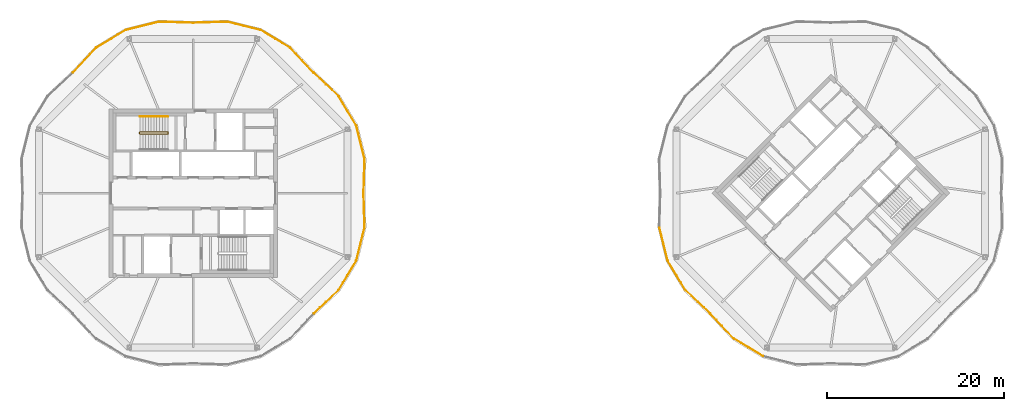
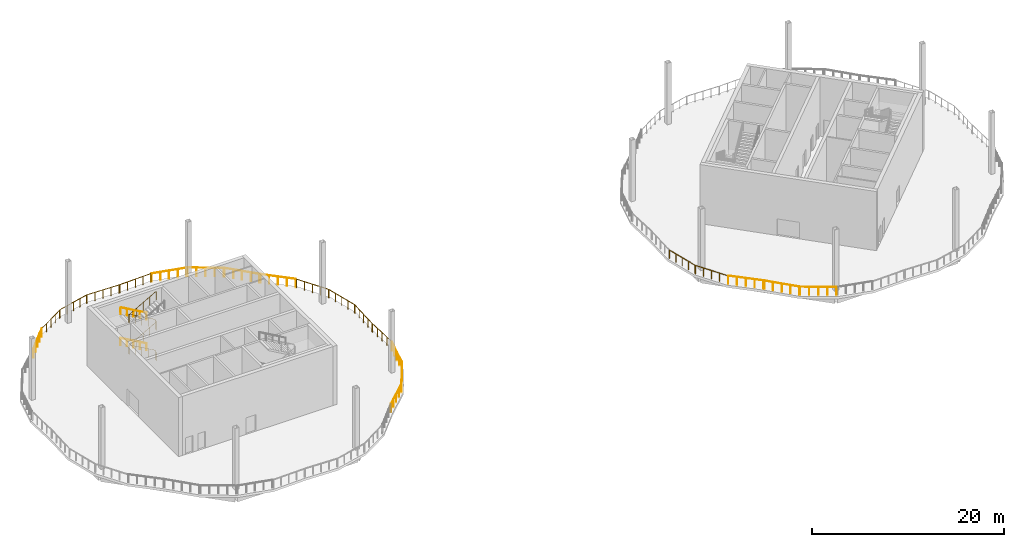
# One storey, part 10 of 12: 24 railings.
"""IFC4 building model written with IfcOpenShell, lengths in metres."""

import ifcopenshell
import ifcopenshell.guid

model = None  # the IFC model being written
_history = None  # IfcOwnerHistory: only IFC2X3 demands one
_inside = {}  # id of a spatial element -> (the spatial element, [elements in it])
_under = {}  # id of a project, library or spatial element -> (it, [spatial elements below it])
_declared = {}  # id of a project -> (the project, [libraries it declares])
_typed = {}  # id of a type object -> (the type object, [elements of that type])
_made_of = {}  # id of a material, layer set ... -> (it, [elements and type objects made of it])


def new_model(schema):
    """Start an empty IFC model of exactly this schema.

    Asked for "IFC4X3", IfcOpenShell would pick the latest addendum, in which some entities
    have other attributes; the version numbers below select the first issue.
    IFC2X3 requires an IfcOwnerHistory on every rooted entity: one is made here for all.
    """
    global model, _history
    if schema == "IFC4X3":
        model = ifcopenshell.file(schema_version=(4, 3, 0, 0))
    else:
        model = ifcopenshell.file(schema=schema)
    _inside.clear()
    _under.clear()
    _declared.clear()
    _typed.clear()
    _made_of.clear()
    _history = None
    if model.schema == "IFC2X3":
        org = make("IfcOrganization", Name="unknown")
        user = make(
            "IfcPersonAndOrganization",
            ThePerson=make("IfcPerson", FamilyName="unknown"),
            TheOrganization=org,
        )
        app = make(
            "IfcApplication",
            ApplicationDeveloper=org,
            Version="unknown",
            ApplicationFullName="unknown",
            ApplicationIdentifier="unknown",
        )
        _history = make(
            "IfcOwnerHistory",
            OwningUser=user,
            OwningApplication=app,
            ChangeAction="ADDED",
            CreationDate=0,
        )
    return model


def make(cls, **values):
    """One entity of the class cls with the attributes given. An attribute that is None is left unset."""
    return model.create_entity(
        cls, **{name: value for name, value in values.items() if value is not None}
    )


def rooted(cls, **values):
    """An entity with a GlobalId (a new one), such as an element, a storey or a relation."""
    return make(cls, GlobalId=ifcopenshell.guid.new(), OwnerHistory=_history, **values)


def si_unit(unit_type, name, prefix=None):
    """IfcSIUnit, for example si_unit("LENGTHUNIT", "METRE", prefix="MILLI")."""
    return make("IfcSIUnit", UnitType=unit_type, Prefix=prefix, Name=name)


def assignment(units):
    """IfcUnitAssignment: the units of a project."""
    return None if units is None else make("IfcUnitAssignment", Units=units)


def point(xyz):
    """IfcCartesianPoint."""
    return None if xyz is None else make("IfcCartesianPoint", Coordinates=xyz)


def direction(xyz):
    """IfcDirection."""
    return None if xyz is None else make("IfcDirection", DirectionRatios=xyz)


def frame(location, z_axis=None, x_axis=None):
    """IfcAxis2Placement3D, a coordinate frame: its origin and axes. An axis left out is left unset."""
    return make(
        "IfcAxis2Placement3D",
        Location=point(location),
        Axis=direction(z_axis),
        RefDirection=direction(x_axis),
    )


def frame_2d(location, x_axis=None):
    """IfcAxis2Placement2D, a coordinate frame in the plane: its origin and x axis."""
    return make(
        "IfcAxis2Placement2D", Location=point(location), RefDirection=direction(x_axis)
    )


def origin():
    """The frame at (0, 0, 0) with its axes left unset."""
    return frame((0.0, 0.0, 0.0))


def origin_2d():
    """The frame at (0, 0) in the plane with its x axis left unset."""
    return frame_2d((0.0, 0.0))


def place(relative_to, where):
    """IfcLocalPlacement: puts the frame where relative to a parent placement (None: the world)."""
    return make(
        "IfcLocalPlacement", PlacementRelTo=relative_to, RelativePlacement=where
    )


def context(
    kind, dimensions, precision=None, world=None, true_north=None, identifier=None
):
    """IfcGeometricRepresentationContext, for example the 3D "Model" context."""
    return make(
        "IfcGeometricRepresentationContext",
        ContextIdentifier=identifier,
        ContextType=kind,
        CoordinateSpaceDimension=dimensions,
        Precision=precision,
        WorldCoordinateSystem=world,
        TrueNorth=true_north,
    )


def subcontext(parent, identifier, kind, view, scale=None):
    """IfcGeometricRepresentationSubContext, for example "Body" below "Model"."""
    return make(
        "IfcGeometricRepresentationSubContext",
        ContextIdentifier=identifier,
        ContextType=kind,
        ParentContext=parent,
        TargetScale=scale,
        TargetView=view,
    )


def project(units=None, contexts=None):
    """IfcProject with its units and contexts."""
    return rooted(
        "IfcProject",
        Name="project",
        RepresentationContexts=contexts,
        UnitsInContext=assignment(units),
    )


def spatial(cls, under=None, at=None, **own):
    """A site, building, storey or space (cls), placed at a placement, below another one or the project."""
    s = rooted(cls, ObjectPlacement=at, **own)
    if under is not None:
        _under.setdefault(under.id(), (under, []))[1].append(s)
    return s


def profile(cls, at=None, kind="AREA", **sizes):
    """A parametric profile (cls). Its sizes go by their IFC names, for example OverallWidth=200.0."""
    return make(cls, ProfileType=kind, Position=at, **sizes)


def circle(**sizes):
    """IfcCircleProfileDef."""
    return profile("IfcCircleProfileDef", **sizes)


def extrude(swept, where, along, depth):
    """IfcExtrudedAreaSolid: the profile swept, set in the frame where, extruded along a direction by depth."""
    return make(
        "IfcExtrudedAreaSolid",
        SweptArea=swept,
        Position=where,
        ExtrudedDirection=direction(along),
        Depth=depth,
    )


def shape(context_of_items, identifier, shape_type, items):
    """IfcShapeRepresentation: the items that make up one representation, for example the "Body"."""
    return make(
        "IfcShapeRepresentation",
        ContextOfItems=context_of_items,
        RepresentationIdentifier=identifier,
        RepresentationType=shape_type,
        Items=items,
    )


def material(Name=None, Category=None):
    """IfcMaterial."""
    return make("IfcMaterial", Name=Name, Category=Category)


def made_of(thing, what):
    """Note that an element or type object is made of a material, layer set ...; save() writes the relation."""
    if what is not None:
        _made_of.setdefault(what.id(), (what, []))[1].append(thing)
    return thing


def type_object(cls, material=None, **own):
    """A type object (cls), such as IfcWallType, which elements share."""
    return made_of(rooted(cls, **own), material)


def element(
    cls,
    number,
    at=None,
    inside=None,
    cuts=None,
    type_object=None,
    material=None,
    context=None,
    identifier="Body",
    shape_type=None,
    held_by="IfcProductDefinitionShape",
    body=None,
    shapes=None,
    **own,
):
    """One element of the class cls, such as IfcWall. Its Tag is "e" and its number.

    at: its placement. inside: the storey or other place that contains it. cuts: it is an
    opening in that element (IfcRelVoidsElement). A single representation is given by context,
    identifier, shape_type and body (its items); several are given by shapes. held_by: the class
    of the entity that holds the representations. save() writes the other relations.
    """
    e = rooted(cls, Tag="e%d" % number, ObjectPlacement=at, **own)
    if body is not None:
        shapes = [shape(context, identifier, shape_type, body)]
    if shapes is not None:
        e.Representation = make(held_by, Representations=shapes)
    if inside is not None:
        _inside.setdefault(inside.id(), (inside, []))[1].append(e)
    if cuts is not None:
        rooted(
            "IfcRelVoidsElement", RelatingBuildingElement=cuts, RelatedOpeningElement=e
        )
    if type_object is not None:
        _typed.setdefault(type_object.id(), (type_object, []))[1].append(e)
    return made_of(e, material)


def aggregate(whole, parts):
    """IfcRelAggregates: a whole, such as a stair, and the parts it consists of."""
    return rooted("IfcRelAggregates", RelatingObject=whole, RelatedObjects=parts)


def save(model, path):
    """Write the relations noted so far, then the file.

    IfcRelAggregates (storeys below a building ...), IfcRelContainedInSpatialStructure (elements
    in a storey), IfcRelDefinesByType, IfcRelAssociatesMaterial and IfcRelDeclares: one each for
    every whole, place, type object, material and project.
    """
    for whole, parts in _under.values():
        aggregate(whole, parts)
    for where, things in _inside.values():
        rooted(
            "IfcRelContainedInSpatialStructure",
            RelatedElements=things,
            RelatingStructure=where,
        )
    for kind, things in _typed.values():
        rooted("IfcRelDefinesByType", RelatedObjects=things, RelatingType=kind)
    for what, things in _made_of.values():
        rooted("IfcRelAssociatesMaterial", RelatedObjects=things, RelatingMaterial=what)
    for by, libraries in _declared.values():
        rooted("IfcRelDeclares", RelatingContext=by, RelatedDefinitions=libraries)
    model.write(path)


model = new_model("IFC4")

# Units and contexts
model_context = context("Model", 3, precision=1e-05, world=origin(), true_north=direction((0.0, 1.0)))
body_context = subcontext(model_context, "Body", "Model", "MODEL_VIEW")
ifc_project = project(units=[si_unit("LENGTHUNIT", "METRE"), si_unit("AREAUNIT", "SQUARE_METRE"), si_unit("VOLUMEUNIT", "CUBIC_METRE"), si_unit("PLANEANGLEUNIT", "RADIAN"), si_unit("MASSUNIT", "GRAM", prefix="KILO")], contexts=[model_context])

# Site, building, storey
site_placement = place(None, origin())
site = spatial("IfcSite", under=ifc_project, at=site_placement, CompositionType="ELEMENT")
building_placement = place(site_placement, origin())
building = spatial("IfcBuilding", under=site, at=building_placement, Name="Ogive Gate Towers", CompositionType="ELEMENT")
storey_placement = place(building_placement, frame((0.0, 0.0, 248.39990234375)))
storey = spatial("IfcBuildingStorey", under=building, at=storey_placement, Name="L59", CompositionType="ELEMENT", Elevation=248.39990234375)

# Railings
ifc_material = material(Name="Stainless steel", Category="steel")
railing_type_1 = type_object("IfcRailingType", Name="Guard 1100", PredefinedType="GUARDRAIL", material=ifc_material)
railing_1_placement = place(storey_placement, frame((-16.758544921875, 0.050048828125, 0.0)))
element("IfcRailing", 1, at=railing_1_placement, inside=storey, type_object=railing_type_1, Name="Wind floor guard", PredefinedType="GUARDRAIL", context=body_context, shape_type="SweptSolid", body=[
    extrude(circle(Radius=0.02392578125, at=origin_2d()), frame((0.0, 0.0, 1.076171875), z_axis=(0.029981333403, 0.99955045878, 0.0), x_axis=(-0.99955045878, 0.029981333403, 0.0)), (0.0, 0.0, 1.0), 3.770263671875),
    extrude(circle(Radius=0.02099609375, at=origin_2d()), origin(), (0.0, 0.0, 1.0), 1.052001953125),
    extrude(circle(Radius=0.02099609375, at=origin_2d()), frame((0.0283203125, 0.942138671875, 0.0)), (0.0, 0.0, 1.0), 1.052001953125),
    extrude(circle(Radius=0.02099609375, at=origin_2d()), frame((0.056640625, 1.88427734375, 0.0)), (0.0, 0.0, 1.0), 1.052001953125),
    extrude(circle(Radius=0.02099609375, at=origin_2d()), frame((0.084716796875, 2.826416015625, 0.0)), (0.0, 0.0, 1.0), 1.052001953125),
    extrude(circle(Radius=0.02099609375, at=origin_2d()), frame((0.113037109375, 3.7685546875, 0.0)), (0.0, 0.0, 1.0), 1.052001953125),
])
railing_2_placement = place(storey_placement, frame((-16.656005859375, 3.9169921875, 0.0)))
element("IfcRailing", 2, at=railing_2_placement, inside=storey, type_object=railing_type_1, Name="Wind floor guard", PredefinedType="GUARDRAIL", context=body_context, shape_type="SweptSolid", body=[
    extrude(circle(Radius=0.02392578125, at=origin_2d()), frame((0.0, 0.0, 1.076171875), z_axis=(-0.241485792873, 0.970404354813, 0.0), x_axis=(-0.970404354813, -0.241485792873, 0.0)), (0.0, 0.0, 1.0), 3.776123046875),
    extrude(circle(Radius=0.02099609375, at=origin_2d()), origin(), (0.0, 0.0, 1.0), 1.052001953125),
    extrude(circle(Radius=0.02099609375, at=origin_2d()), frame((-0.22802734375, 0.916015625, 0.0)), (0.0, 0.0, 1.0), 1.052001953125),
    extrude(circle(Radius=0.02099609375, at=origin_2d()), frame((-0.4560546875, 1.83203125, 0.0)), (0.0, 0.0, 1.0), 1.052001953125),
    extrude(circle(Radius=0.02099609375, at=origin_2d()), frame((-0.683837890625, 2.748291015625, 0.0)), (0.0, 0.0, 1.0), 1.052001953125),
    extrude(circle(Radius=0.02099609375, at=origin_2d()), frame((-0.911865234375, 3.664306640625, 0.0)), (0.0, 0.0, 1.0), 1.052001953125),
])
railing_3_placement = place(storey_placement, frame((-17.605712890625, 7.672607421875, 0.0)))
element("IfcRailing", 3, at=railing_3_placement, inside=storey, type_object=railing_type_1, Name="Wind floor guard", PredefinedType="GUARDRAIL", context=body_context, shape_type="SweptSolid", body=[
    extrude(circle(Radius=0.02392578125, at=origin_2d()), frame((0.0, 0.0, 1.076171875), z_axis=(-0.515427239943, 0.856933346489, 0.0), x_axis=(-0.856933346489, -0.515427239943, 0.0)), (0.0, 0.0, 1.0), 3.776123046875),
    extrude(circle(Radius=0.02099609375, at=origin_2d()), origin(), (0.0, 0.0, 1.0), 1.052001953125),
    extrude(circle(Radius=0.02099609375, at=origin_2d()), frame((-0.486572265625, 0.80908203125, 0.0)), (0.0, 0.0, 1.0), 1.052001953125),
    extrude(circle(Radius=0.02099609375, at=origin_2d()), frame((-0.97314453125, 1.617919921875, 0.0)), (0.0, 0.0, 1.0), 1.052001953125),
    extrude(circle(Radius=0.02099609375, at=origin_2d()), frame((-1.459716796875, 2.4267578125, 0.0)), (0.0, 0.0, 1.0), 1.052001953125),
    extrude(circle(Radius=0.02099609375, at=origin_2d()), frame((-1.9462890625, 3.23583984375, 0.0)), (0.0, 0.0, 1.0), 1.052001953125),
])
railing_4_placement = place(storey_placement, frame((-19.614013671875, 10.985595703125, 0.0)))
element("IfcRailing", 4, at=railing_4_placement, inside=storey, type_object=railing_type_1, Name="Wind floor guard", PredefinedType="GUARDRAIL", context=body_context, shape_type="SweptSolid", body=[
    extrude(circle(Radius=0.02392578125, at=origin_2d()), frame((0.0, 0.0, 1.076171875), z_axis=(-0.728026975857, 0.685548482913, 0.0), x_axis=(-0.685548482913, -0.728026975857, 0.0)), (0.0, 0.0, 1.0), 3.770263671875),
    extrude(circle(Radius=0.02099609375, at=origin_2d()), origin(), (0.0, 0.0, 1.0), 1.052001953125),
    extrude(circle(Radius=0.02099609375, at=origin_2d()), frame((-0.686279296875, 0.646240234375, 0.0)), (0.0, 0.0, 1.0), 1.052001953125),
    extrude(circle(Radius=0.02099609375, at=origin_2d()), frame((-1.37255859375, 1.29248046875, 0.0)), (0.0, 0.0, 1.0), 1.052001953125),
    extrude(circle(Radius=0.02099609375, at=origin_2d()), frame((-2.05859375, 1.9384765625, 0.0)), (0.0, 0.0, 1.0), 1.052001953125),
    extrude(circle(Radius=0.02099609375, at=origin_2d()), frame((-2.744873046875, 2.584716796875, 0.0)), (0.0, 0.0, 1.0), 1.052001953125),
])
railing_5_placement = place(storey_placement, frame((-22.4296875, 13.64111328125, 0.0)))
element("IfcRailing", 5, at=railing_5_placement, inside=storey, type_object=railing_type_1, Name="Wind floor guard", PredefinedType="GUARDRAIL", context=body_context, shape_type="SweptSolid", body=[
    extrude(circle(Radius=0.02392578125, at=origin_2d()), frame((0.0, 0.0, 1.076171875), z_axis=(-0.685548482913, 0.728026975857, 0.0), x_axis=(-0.728026975857, -0.685548482913, 0.0)), (0.0, 0.0, 1.0), 3.770263671875),
    extrude(circle(Radius=0.02099609375, at=origin_2d()), origin(), (0.0, 0.0, 1.0), 1.052001953125),
    extrude(circle(Radius=0.02099609375, at=origin_2d()), frame((-0.646240234375, 0.686279296875, 0.0)), (0.0, 0.0, 1.0), 1.052001953125),
    extrude(circle(Radius=0.02099609375, at=origin_2d()), frame((-1.29248046875, 1.37255859375, 0.0)), (0.0, 0.0, 1.0), 1.052001953125),
    extrude(circle(Radius=0.02099609375, at=origin_2d()), frame((-1.9384765625, 2.05859375, 0.0)), (0.0, 0.0, 1.0), 1.052001953125),
    extrude(circle(Radius=0.02099609375, at=origin_2d()), frame((-2.584716796875, 2.744873046875, 0.0)), (0.0, 0.0, 1.0), 1.052001953125),
])
railing_6_placement = place(storey_placement, frame((-25.091552734375, 16.447998046875, 0.0)))
element("IfcRailing", 6, at=railing_6_placement, inside=storey, type_object=railing_type_1, Name="Wind floor guard", PredefinedType="GUARDRAIL", context=body_context, shape_type="SweptSolid", body=[
    extrude(circle(Radius=0.02392578125, at=origin_2d()), frame((0.0, 0.0, 1.076171875), z_axis=(-0.856933346489, 0.515427239943, 0.0), x_axis=(-0.515427239943, -0.856933346489, 0.0)), (0.0, 0.0, 1.0), 3.776123046875),
    extrude(circle(Radius=0.02099609375, at=origin_2d()), origin(), (0.0, 0.0, 1.0), 1.052001953125),
    extrude(circle(Radius=0.02099609375, at=origin_2d()), frame((-0.80908203125, 0.486572265625, 0.0)), (0.0, 0.0, 1.0), 1.052001953125),
    extrude(circle(Radius=0.02099609375, at=origin_2d()), frame((-1.617919921875, 0.97314453125, 0.0)), (0.0, 0.0, 1.0), 1.052001953125),
    extrude(circle(Radius=0.02099609375, at=origin_2d()), frame((-2.4267578125, 1.459716796875, 0.0)), (0.0, 0.0, 1.0), 1.052001953125),
    extrude(circle(Radius=0.02099609375, at=origin_2d()), frame((-3.23583984375, 1.9462890625, 0.0)), (0.0, 0.0, 1.0), 1.052001953125),
])
railing_7_placement = place(storey_placement, frame((-28.418701171875, 18.43212890625, 0.0)))
element("IfcRailing", 7, at=railing_7_placement, inside=storey, type_object=railing_type_1, Name="Wind floor guard", PredefinedType="GUARDRAIL", context=body_context, shape_type="SweptSolid", body=[
    extrude(circle(Radius=0.02392578125, at=origin_2d()), frame((0.0, 0.0, 1.076171875), z_axis=(-0.970404354813, 0.241485792873, 0.0), x_axis=(-0.241485792873, -0.970404354813, 0.0)), (0.0, 0.0, 1.0), 3.776123046875),
    extrude(circle(Radius=0.02099609375, at=origin_2d()), origin(), (0.0, 0.0, 1.0), 1.052001953125),
    extrude(circle(Radius=0.02099609375, at=origin_2d()), frame((-0.916015625, 0.22802734375, 0.0)), (0.0, 0.0, 1.0), 1.052001953125),
    extrude(circle(Radius=0.02099609375, at=origin_2d()), frame((-1.83203125, 0.4560546875, 0.0)), (0.0, 0.0, 1.0), 1.052001953125),
    extrude(circle(Radius=0.02099609375, at=origin_2d()), frame((-2.748291015625, 0.683837890625, 0.0)), (0.0, 0.0, 1.0), 1.052001953125),
    extrude(circle(Radius=0.02099609375, at=origin_2d()), frame((-3.664306640625, 0.911865234375, 0.0)), (0.0, 0.0, 1.0), 1.052001953125),
])
railing_8_placement = place(storey_placement, frame((-32.181396484375, 19.3544921875, 0.0)))
element("IfcRailing", 8, at=railing_8_placement, inside=storey, type_object=railing_type_1, Name="Wind floor guard", PredefinedType="GUARDRAIL", context=body_context, shape_type="SweptSolid", body=[
    extrude(circle(Radius=0.02392578125, at=origin_2d()), frame((0.0, 0.0, 1.076171875), z_axis=(-0.99955045878, -0.029981333403, 0.0), x_axis=(0.029981333403, -0.99955045878, 0.0)), (0.0, 0.0, 1.0), 3.770263671875),
    extrude(circle(Radius=0.02099609375, at=origin_2d()), origin(), (0.0, 0.0, 1.0), 1.052001953125),
    extrude(circle(Radius=0.02099609375, at=origin_2d()), frame((-0.942138671875, -0.0283203125, 0.0)), (0.0, 0.0, 1.0), 1.052001953125),
    extrude(circle(Radius=0.02099609375, at=origin_2d()), frame((-1.88427734375, -0.056640625, 0.0)), (0.0, 0.0, 1.0), 1.052001953125),
    extrude(circle(Radius=0.02099609375, at=origin_2d()), frame((-2.826416015625, -0.084716796875, 0.0)), (0.0, 0.0, 1.0), 1.052001953125),
    extrude(circle(Radius=0.02099609375, at=origin_2d()), frame((-3.7685546875, -0.113037109375, 0.0)), (0.0, 0.0, 1.0), 1.052001953125),
])
railing_9_placement = place(storey_placement, frame((-36.050048828125, 19.241455078125, 0.0)))
element("IfcRailing", 9, at=railing_9_placement, inside=storey, type_object=railing_type_1, Name="Wind floor guard", PredefinedType="GUARDRAIL", context=body_context, shape_type="SweptSolid", body=[
    extrude(circle(Radius=0.02392578125, at=origin_2d()), frame((0.0, 0.0, 1.076171875), z_axis=(-0.99955045878, 0.029981333403, 0.0), x_axis=(-0.029981333403, -0.99955045878, 0.0)), (0.0, 0.0, 1.0), 3.770263671875),
    extrude(circle(Radius=0.02099609375, at=origin_2d()), origin(), (0.0, 0.0, 1.0), 1.052001953125),
    extrude(circle(Radius=0.02099609375, at=origin_2d()), frame((-0.942138671875, 0.0283203125, 0.0)), (0.0, 0.0, 1.0), 1.052001953125),
    extrude(circle(Radius=0.02099609375, at=origin_2d()), frame((-1.88427734375, 0.056640625, 0.0)), (0.0, 0.0, 1.0), 1.052001953125),
    extrude(circle(Radius=0.02099609375, at=origin_2d()), frame((-2.826416015625, 0.084716796875, 0.0)), (0.0, 0.0, 1.0), 1.052001953125),
    extrude(circle(Radius=0.02099609375, at=origin_2d()), frame((-3.7685546875, 0.113037109375, 0.0)), (0.0, 0.0, 1.0), 1.052001953125),
])
railing_10_placement = place(storey_placement, frame((-39.9169921875, 19.343994140625, 0.0)))
element("IfcRailing", 10, at=railing_10_placement, inside=storey, type_object=railing_type_1, Name="Wind floor guard", PredefinedType="GUARDRAIL", context=body_context, shape_type="SweptSolid", body=[
    extrude(circle(Radius=0.02392578125, at=origin_2d()), frame((0.0, 0.0, 1.076171875), z_axis=(-0.970404354813, -0.241485792873, 0.0), x_axis=(0.241485792873, -0.970404354813, 0.0)), (0.0, 0.0, 1.0), 3.776123046875),
    extrude(circle(Radius=0.02099609375, at=origin_2d()), origin(), (0.0, 0.0, 1.0), 1.052001953125),
    extrude(circle(Radius=0.02099609375, at=origin_2d()), frame((-0.916015625, -0.22802734375, 0.0)), (0.0, 0.0, 1.0), 1.052001953125),
    extrude(circle(Radius=0.02099609375, at=origin_2d()), frame((-1.83203125, -0.4560546875, 0.0)), (0.0, 0.0, 1.0), 1.052001953125),
    extrude(circle(Radius=0.02099609375, at=origin_2d()), frame((-2.748291015625, -0.683837890625, 0.0)), (0.0, 0.0, 1.0), 1.052001953125),
    extrude(circle(Radius=0.02099609375, at=origin_2d()), frame((-3.664306640625, -0.911865234375, 0.0)), (0.0, 0.0, 1.0), 1.052001953125),
])
railing_11_placement = place(storey_placement, frame((-43.672607421875, 18.394287109375, 0.0)))
element("IfcRailing", 11, at=railing_11_placement, inside=storey, type_object=railing_type_1, Name="Wind floor guard", PredefinedType="GUARDRAIL", context=body_context, shape_type="SweptSolid", body=[
    extrude(circle(Radius=0.02392578125, at=origin_2d()), frame((0.0, 0.0, 1.076171875), z_axis=(-0.856933346489, -0.515427239943, 0.0), x_axis=(0.515427239943, -0.856933346489, 0.0)), (0.0, 0.0, 1.0), 3.776123046875),
    extrude(circle(Radius=0.02099609375, at=origin_2d()), origin(), (0.0, 0.0, 1.0), 1.052001953125),
    extrude(circle(Radius=0.02099609375, at=origin_2d()), frame((-0.80908203125, -0.486572265625, 0.0)), (0.0, 0.0, 1.0), 1.052001953125),
    extrude(circle(Radius=0.02099609375, at=origin_2d()), frame((-1.617919921875, -0.97314453125, 0.0)), (0.0, 0.0, 1.0), 1.052001953125),
    extrude(circle(Radius=0.02099609375, at=origin_2d()), frame((-2.4267578125, -1.459716796875, 0.0)), (0.0, 0.0, 1.0), 1.052001953125),
    extrude(circle(Radius=0.02099609375, at=origin_2d()), frame((-3.23583984375, -1.9462890625, 0.0)), (0.0, 0.0, 1.0), 1.052001953125),
])
railing_12_placement = place(storey_placement, frame((-46.985595703125, 16.385986328125, 0.0)))
element("IfcRailing", 12, at=railing_12_placement, inside=storey, type_object=railing_type_1, Name="Wind floor guard", PredefinedType="GUARDRAIL", context=body_context, shape_type="SweptSolid", body=[
    extrude(circle(Radius=0.02392578125, at=origin_2d()), frame((0.0, 0.0, 1.076171875), z_axis=(-0.685548482913, -0.728026975857, 0.0), x_axis=(0.728026975857, -0.685548482913, 0.0)), (0.0, 0.0, 1.0), 3.770263671875),
    extrude(circle(Radius=0.02099609375, at=origin_2d()), origin(), (0.0, 0.0, 1.0), 1.052001953125),
    extrude(circle(Radius=0.02099609375, at=origin_2d()), frame((-0.646240234375, -0.686279296875, 0.0)), (0.0, 0.0, 1.0), 1.052001953125),
    extrude(circle(Radius=0.02099609375, at=origin_2d()), frame((-1.29248046875, -1.37255859375, 0.0)), (0.0, 0.0, 1.0), 1.052001953125),
    extrude(circle(Radius=0.02099609375, at=origin_2d()), frame((-1.9384765625, -2.05859375, 0.0)), (0.0, 0.0, 1.0), 1.052001953125),
    extrude(circle(Radius=0.02099609375, at=origin_2d()), frame((-2.584716796875, -2.744873046875, 0.0)), (0.0, 0.0, 1.0), 1.052001953125),
])
railing_13_placement = place(storey_placement, frame((-22.35888671875, -13.5703125, 0.0)))
element("IfcRailing", 13, at=railing_13_placement, inside=storey, type_object=railing_type_1, Name="Wind floor guard", PredefinedType="GUARDRAIL", context=body_context, shape_type="SweptSolid", body=[
    extrude(circle(Radius=0.02392578125, at=origin_2d()), frame((0.0, 0.0, 1.076171875), z_axis=(0.728026975857, 0.685548482913, 0.0), x_axis=(-0.685548482913, 0.728026975857, 0.0)), (0.0, 0.0, 1.0), 3.770263671875),
    extrude(circle(Radius=0.02099609375, at=origin_2d()), origin(), (0.0, 0.0, 1.0), 1.052001953125),
    extrude(circle(Radius=0.02099609375, at=origin_2d()), frame((0.686279296875, 0.646240234375, 0.0)), (0.0, 0.0, 1.0), 1.052001953125),
    extrude(circle(Radius=0.02099609375, at=origin_2d()), frame((1.37255859375, 1.29248046875, 0.0)), (0.0, 0.0, 1.0), 1.052001953125),
    extrude(circle(Radius=0.02099609375, at=origin_2d()), frame((2.05859375, 1.9384765625, 0.0)), (0.0, 0.0, 1.0), 1.052001953125),
    extrude(circle(Radius=0.02099609375, at=origin_2d()), frame((2.744873046875, 2.584716796875, 0.0)), (0.0, 0.0, 1.0), 1.052001953125),
])
railing_14_placement = place(storey_placement, frame((-19.552001953125, -10.908447265625, 0.0)))
element("IfcRailing", 14, at=railing_14_placement, inside=storey, type_object=railing_type_1, Name="Wind floor guard", PredefinedType="GUARDRAIL", context=body_context, shape_type="SweptSolid", body=[
    extrude(circle(Radius=0.02392578125, at=origin_2d()), frame((0.0, 0.0, 1.076171875), z_axis=(0.515427239943, 0.856933346489, 0.0), x_axis=(-0.856933346489, 0.515427239943, 0.0)), (0.0, 0.0, 1.0), 3.776123046875),
    extrude(circle(Radius=0.02099609375, at=origin_2d()), origin(), (0.0, 0.0, 1.0), 1.052001953125),
    extrude(circle(Radius=0.02099609375, at=origin_2d()), frame((0.486572265625, 0.80908203125, 0.0)), (0.0, 0.0, 1.0), 1.052001953125),
    extrude(circle(Radius=0.02099609375, at=origin_2d()), frame((0.97314453125, 1.617919921875, 0.0)), (0.0, 0.0, 1.0), 1.052001953125),
    extrude(circle(Radius=0.02099609375, at=origin_2d()), frame((1.459716796875, 2.4267578125, 0.0)), (0.0, 0.0, 1.0), 1.052001953125),
    extrude(circle(Radius=0.02099609375, at=origin_2d()), frame((1.9462890625, 3.23583984375, 0.0)), (0.0, 0.0, 1.0), 1.052001953125),
])
railing_15_placement = place(storey_placement, frame((-17.56787109375, -7.581298828125, 0.0)))
element("IfcRailing", 15, at=railing_15_placement, inside=storey, type_object=railing_type_1, Name="Wind floor guard", PredefinedType="GUARDRAIL", context=body_context, shape_type="SweptSolid", body=[
    extrude(circle(Radius=0.02392578125, at=origin_2d()), frame((0.0, 0.0, 1.076171875), z_axis=(0.241485792873, 0.970404354813, 0.0), x_axis=(-0.970404354813, 0.241485792873, 0.0)), (0.0, 0.0, 1.0), 3.776123046875),
    extrude(circle(Radius=0.02099609375, at=origin_2d()), origin(), (0.0, 0.0, 1.0), 1.052001953125),
    extrude(circle(Radius=0.02099609375, at=origin_2d()), frame((0.22802734375, 0.916015625, 0.0)), (0.0, 0.0, 1.0), 1.052001953125),
    extrude(circle(Radius=0.02099609375, at=origin_2d()), frame((0.4560546875, 1.83203125, 0.0)), (0.0, 0.0, 1.0), 1.052001953125),
    extrude(circle(Radius=0.02099609375, at=origin_2d()), frame((0.683837890625, 2.748291015625, 0.0)), (0.0, 0.0, 1.0), 1.052001953125),
    extrude(circle(Radius=0.02099609375, at=origin_2d()), frame((0.911865234375, 3.664306640625, 0.0)), (0.0, 0.0, 1.0), 1.052001953125),
])
railing_16_placement = place(storey_placement, frame((-16.6455078125, -3.818603515625, 0.0)))
element("IfcRailing", 16, at=railing_16_placement, inside=storey, type_object=railing_type_1, Name="Wind floor guard", PredefinedType="GUARDRAIL", context=body_context, shape_type="SweptSolid", body=[
    extrude(circle(Radius=0.02392578125, at=origin_2d()), frame((0.0, 0.0, 1.076171875), z_axis=(-0.029981333403, 0.99955045878, 0.0), x_axis=(-0.99955045878, -0.029981333403, 0.0)), (0.0, 0.0, 1.0), 3.770263671875),
    extrude(circle(Radius=0.02099609375, at=origin_2d()), origin(), (0.0, 0.0, 1.0), 1.052001953125),
    extrude(circle(Radius=0.02099609375, at=origin_2d()), frame((-0.0283203125, 0.942138671875, 0.0)), (0.0, 0.0, 1.0), 1.052001953125),
    extrude(circle(Radius=0.02099609375, at=origin_2d()), frame((-0.056640625, 1.88427734375, 0.0)), (0.0, 0.0, 1.0), 1.052001953125),
    extrude(circle(Radius=0.02099609375, at=origin_2d()), frame((-0.084716796875, 2.826416015625, 0.0)), (0.0, 0.0, 1.0), 1.052001953125),
    extrude(circle(Radius=0.02099609375, at=origin_2d()), frame((-0.113037109375, 3.7685546875, 0.0)), (0.0, 0.0, 1.0), 1.052001953125),
])
railing_17_placement = place(storey_placement, frame((16.656005859375, -3.9169921875, 0.0)))
element("IfcRailing", 17, at=railing_17_placement, inside=storey, type_object=railing_type_1, Name="Wind floor guard", PredefinedType="GUARDRAIL", context=body_context, shape_type="SweptSolid", body=[
    extrude(circle(Radius=0.02392578125, at=origin_2d()), frame((0.0, 0.0, 1.076171875), z_axis=(0.241485792873, -0.970404354813, 0.0), x_axis=(0.970404354813, 0.241485792873, 0.0)), (0.0, 0.0, 1.0), 3.776123046875),
    extrude(circle(Radius=0.02099609375, at=origin_2d()), origin(), (0.0, 0.0, 1.0), 1.052001953125),
    extrude(circle(Radius=0.02099609375, at=origin_2d()), frame((0.22802734375, -0.916015625, 0.0)), (0.0, 0.0, 1.0), 1.052001953125),
    extrude(circle(Radius=0.02099609375, at=origin_2d()), frame((0.4560546875, -1.83203125, 0.0)), (0.0, 0.0, 1.0), 1.052001953125),
    extrude(circle(Radius=0.02099609375, at=origin_2d()), frame((0.683837890625, -2.748291015625, 0.0)), (0.0, 0.0, 1.0), 1.052001953125),
    extrude(circle(Radius=0.02099609375, at=origin_2d()), frame((0.911865234375, -3.664306640625, 0.0)), (0.0, 0.0, 1.0), 1.052001953125),
])
railing_18_placement = place(storey_placement, frame((17.605712890625, -7.672607421875, 0.0)))
element("IfcRailing", 18, at=railing_18_placement, inside=storey, type_object=railing_type_1, Name="Wind floor guard", PredefinedType="GUARDRAIL", context=body_context, shape_type="SweptSolid", body=[
    extrude(circle(Radius=0.02392578125, at=origin_2d()), frame((0.0, 0.0, 1.076171875), z_axis=(0.515427239943, -0.856933346489, 0.0), x_axis=(0.856933346489, 0.515427239943, 0.0)), (0.0, 0.0, 1.0), 3.776123046875),
    extrude(circle(Radius=0.02099609375, at=origin_2d()), origin(), (0.0, 0.0, 1.0), 1.052001953125),
    extrude(circle(Radius=0.02099609375, at=origin_2d()), frame((0.486572265625, -0.80908203125, 0.0)), (0.0, 0.0, 1.0), 1.052001953125),
    extrude(circle(Radius=0.02099609375, at=origin_2d()), frame((0.97314453125, -1.617919921875, 0.0)), (0.0, 0.0, 1.0), 1.052001953125),
    extrude(circle(Radius=0.02099609375, at=origin_2d()), frame((1.459716796875, -2.4267578125, 0.0)), (0.0, 0.0, 1.0), 1.052001953125),
    extrude(circle(Radius=0.02099609375, at=origin_2d()), frame((1.9462890625, -3.23583984375, 0.0)), (0.0, 0.0, 1.0), 1.052001953125),
])
railing_19_placement = place(storey_placement, frame((19.614013671875, -10.985595703125, 0.0)))
element("IfcRailing", 19, at=railing_19_placement, inside=storey, type_object=railing_type_1, Name="Wind floor guard", PredefinedType="GUARDRAIL", context=body_context, shape_type="SweptSolid", body=[
    extrude(circle(Radius=0.02392578125, at=origin_2d()), frame((0.0, 0.0, 1.076171875), z_axis=(0.728026975857, -0.685548482913, 0.0), x_axis=(0.685548482913, 0.728026975857, 0.0)), (0.0, 0.0, 1.0), 3.770263671875),
    extrude(circle(Radius=0.02099609375, at=origin_2d()), origin(), (0.0, 0.0, 1.0), 1.052001953125),
    extrude(circle(Radius=0.02099609375, at=origin_2d()), frame((0.686279296875, -0.646240234375, 0.0)), (0.0, 0.0, 1.0), 1.052001953125),
    extrude(circle(Radius=0.02099609375, at=origin_2d()), frame((1.37255859375, -1.29248046875, 0.0)), (0.0, 0.0, 1.0), 1.052001953125),
    extrude(circle(Radius=0.02099609375, at=origin_2d()), frame((2.05859375, -1.9384765625, 0.0)), (0.0, 0.0, 1.0), 1.052001953125),
    extrude(circle(Radius=0.02099609375, at=origin_2d()), frame((2.744873046875, -2.584716796875, 0.0)), (0.0, 0.0, 1.0), 1.052001953125),
])
railing_20_placement = place(storey_placement, frame((22.4296875, -13.64111328125, 0.0)))
element("IfcRailing", 20, at=railing_20_placement, inside=storey, type_object=railing_type_1, Name="Wind floor guard", PredefinedType="GUARDRAIL", context=body_context, shape_type="SweptSolid", body=[
    extrude(circle(Radius=0.02392578125, at=origin_2d()), frame((0.0, 0.0, 1.076171875), z_axis=(0.685548482913, -0.728026975857, 0.0), x_axis=(0.728026975857, 0.685548482913, 0.0)), (0.0, 0.0, 1.0), 3.770263671875),
    extrude(circle(Radius=0.02099609375, at=origin_2d()), origin(), (0.0, 0.0, 1.0), 1.052001953125),
    extrude(circle(Radius=0.02099609375, at=origin_2d()), frame((0.646240234375, -0.686279296875, 0.0)), (0.0, 0.0, 1.0), 1.052001953125),
    extrude(circle(Radius=0.02099609375, at=origin_2d()), frame((1.29248046875, -1.37255859375, 0.0)), (0.0, 0.0, 1.0), 1.052001953125),
    extrude(circle(Radius=0.02099609375, at=origin_2d()), frame((1.9384765625, -2.05859375, 0.0)), (0.0, 0.0, 1.0), 1.052001953125),
    extrude(circle(Radius=0.02099609375, at=origin_2d()), frame((2.584716796875, -2.744873046875, 0.0)), (0.0, 0.0, 1.0), 1.052001953125),
])
railing_21_placement = place(storey_placement, frame((25.091552734375, -16.447998046875, 0.0)))
element("IfcRailing", 21, at=railing_21_placement, inside=storey, type_object=railing_type_1, Name="Wind floor guard", PredefinedType="GUARDRAIL", context=body_context, shape_type="SweptSolid", body=[
    extrude(circle(Radius=0.02392578125, at=origin_2d()), frame((0.0, 0.0, 1.076171875), z_axis=(0.856933346489, -0.515427239943, 0.0), x_axis=(0.515427239943, 0.856933346489, 0.0)), (0.0, 0.0, 1.0), 3.776123046875),
    extrude(circle(Radius=0.02099609375, at=origin_2d()), origin(), (0.0, 0.0, 1.0), 1.052001953125),
    extrude(circle(Radius=0.02099609375, at=origin_2d()), frame((0.80908203125, -0.486572265625, 0.0)), (0.0, 0.0, 1.0), 1.052001953125),
    extrude(circle(Radius=0.02099609375, at=origin_2d()), frame((1.617919921875, -0.97314453125, 0.0)), (0.0, 0.0, 1.0), 1.052001953125),
    extrude(circle(Radius=0.02099609375, at=origin_2d()), frame((2.4267578125, -1.459716796875, 0.0)), (0.0, 0.0, 1.0), 1.052001953125),
    extrude(circle(Radius=0.02099609375, at=origin_2d()), frame((3.23583984375, -1.9462890625, 0.0)), (0.0, 0.0, 1.0), 1.052001953125),
])
railing_type_2 = type_object("IfcRailingType", Name="Stair guard 1100", PredefinedType="GUARDRAIL", material=ifc_material)
railing_22_placement = place(storey_placement, frame((-38.81494140625, 6.860107421875, 0.0)))
element("IfcRailing", 22, at=railing_22_placement, inside=storey, type_object=railing_type_2, Name="L59 ST1 stair guard 1", PredefinedType="GUARDRAIL", context=body_context, shape_type="SweptSolid", body=[
    extrude(circle(Radius=0.02392578125, at=origin_2d()), frame((0.0, 0.0, 1.076171875), z_axis=(0.0, -1.0, 0.0), x_axis=(1.0, 0.0, 0.0)), (0.0, 0.0, 1.0), 0.14501953125),
    extrude(circle(Radius=0.02392578125, at=origin_2d()), frame((0.0, -0.14501953125, 1.076171875), z_axis=(-0.186567429962, 0.726247849316, 0.661631812598), x_axis=(-0.968551454522, -0.24881334358, 0.0)), (0.0, 0.0, 1.0), 0.268310546875),
    extrude(circle(Radius=0.02392578125, at=origin_2d()), frame((-0.050048828125, 0.0498046875, 1.25341796875), z_axis=(-0.870572935281, 0.0, 0.492039393094), x_axis=(0.0, -1.0, 0.0)), (0.0, 0.0, 1.0), 3.602783203125),
    extrude(circle(Radius=0.02392578125, at=origin_2d()), frame((-3.1865234375, 0.0498046875, 3.0263671875), z_axis=(-0.707106781187, -0.707106781187, 0.0), x_axis=(0.707106781187, -0.707106781187, 0.0)), (0.0, 0.0, 1.0), 0.0703125),
    extrude(circle(Radius=0.02392578125, at=origin_2d()), frame((-3.236328125, 0.0, 3.0263671875), z_axis=(0.0, -1.0, 0.0), x_axis=(1.0, 0.0, 0.0)), (0.0, 0.0, 1.0), 0.14501953125),
    extrude(circle(Radius=0.02392578125, at=origin_2d()), frame((-3.236328125, -0.14501953125, 3.0263671875), z_axis=(0.261041864531, -0.262321481514, 0.929001929653), x_axis=(0.708833529934, 0.705375805398, 0.0)), (0.0, 0.0, 1.0), 0.190673828125),
    extrude(circle(Radius=0.02392578125, at=origin_2d()), frame((-3.1865234375, -0.195068359375, 3.20361328125), z_axis=(0.870572935281, 0.0, 0.492039393094), x_axis=(0.0, 1.0, 0.0)), (0.0, 0.0, 1.0), 3.602783203125),
    extrude(circle(Radius=0.02392578125, at=origin_2d()), frame((-0.050048828125, -0.195068359375, 4.97607421875), z_axis=(0.248521182245, 0.96862646153, 0.0), x_axis=(-0.96862646153, 0.248521182245, 0.0)), (0.0, 0.0, 1.0), 0.201416015625),
    extrude(circle(Radius=0.02392578125, at=origin_2d()), frame((0.0, 0.0, 4.97607421875), z_axis=(0.0, -1.0, 0.0), x_axis=(1.0, 0.0, 0.0)), (0.0, 0.0, 1.0), 0.14501953125),
    extrude(circle(Radius=0.02392578125, at=origin_2d()), frame((0.0, -0.14501953125, 4.97607421875), z_axis=(-0.186679794065, 0.726685247142, 0.661119660934), x_axis=(-0.968551454522, -0.24881334358, 0.0)), (0.0, 0.0, 1.0), 0.26806640625),
    extrude(circle(Radius=0.02392578125, at=origin_2d()), frame((-0.050048828125, 0.0498046875, 5.1533203125), z_axis=(-0.870572935281, 0.0, 0.492039393094), x_axis=(0.0, -1.0, 0.0)), (0.0, 0.0, 1.0), 3.602783203125),
    extrude(circle(Radius=0.02392578125, at=origin_2d()), frame((-3.1865234375, 0.0498046875, 6.92626953125), z_axis=(-0.707106781187, -0.707106781187, 0.0), x_axis=(0.707106781187, -0.707106781187, 0.0)), (0.0, 0.0, 1.0), 0.0703125),
    extrude(circle(Radius=0.02392578125, at=origin_2d()), frame((-3.236328125, 0.0, 6.92626953125), z_axis=(0.0, -1.0, 0.0), x_axis=(1.0, 0.0, 0.0)), (0.0, 0.0, 1.0), 0.14501953125),
    extrude(circle(Radius=0.02392578125, at=origin_2d()), frame((-3.236328125, -0.14501953125, 6.92626953125), z_axis=(0.261041864531, -0.262321481514, 0.929001929653), x_axis=(0.708833529934, 0.705375805398, 0.0)), (0.0, 0.0, 1.0), 0.190673828125),
    extrude(circle(Radius=0.02392578125, at=origin_2d()), frame((-3.1865234375, -0.195068359375, 7.103515625), z_axis=(0.870572935281, 0.0, 0.492039393094), x_axis=(0.0, 1.0, 0.0)), (0.0, 0.0, 1.0), 3.602783203125),
    extrude(circle(Radius=0.02099609375, at=origin_2d()), origin(), (0.0, 0.0, 1.0), 1.052001953125),
    extrude(circle(Radius=0.02099609375, at=origin_2d()), frame((0.0, -0.14501953125, 0.0)), (0.0, 0.0, 1.0), 1.052001953125),
    extrude(circle(Radius=0.02099609375, at=origin_2d()), frame((-0.050048828125, 0.0498046875, 0.177490234375)), (0.0, 0.0, 1.0), 1.052001953125),
    extrude(circle(Radius=0.02099609375, at=origin_2d()), frame((-0.834228515625, 0.0498046875, 0.62060546875)), (0.0, 0.0, 1.0), 1.052001953125),
    extrude(circle(Radius=0.02099609375, at=origin_2d()), frame((-1.6181640625, 0.0498046875, 1.06396484375)), (0.0, 0.0, 1.0), 1.052001953125),
    extrude(circle(Radius=0.02099609375, at=origin_2d()), frame((-2.40234375, 0.0498046875, 1.507080078125)), (0.0, 0.0, 1.0), 1.052001953125),
    extrude(circle(Radius=0.02099609375, at=origin_2d()), frame((-3.1865234375, 0.0498046875, 1.9501953125)), (0.0, 0.0, 1.0), 1.052001953125),
    extrude(circle(Radius=0.02099609375, at=origin_2d()), frame((-3.236328125, 0.0, 1.9501953125)), (0.0, 0.0, 1.0), 1.052001953125),
    extrude(circle(Radius=0.02099609375, at=origin_2d()), frame((-3.236328125, -0.14501953125, 1.9501953125)), (0.0, 0.0, 1.0), 1.052001953125),
    extrude(circle(Radius=0.02099609375, at=origin_2d()), frame((-3.1865234375, -0.195068359375, 2.12744140625)), (0.0, 0.0, 1.0), 1.052001953125),
    extrude(circle(Radius=0.02099609375, at=origin_2d()), frame((-2.40234375, -0.195068359375, 2.570556640625)), (0.0, 0.0, 1.0), 1.052001953125),
    extrude(circle(Radius=0.02099609375, at=origin_2d()), frame((-1.6181640625, -0.195068359375, 3.013671875)), (0.0, 0.0, 1.0), 1.052001953125),
    extrude(circle(Radius=0.02099609375, at=origin_2d()), frame((-0.834228515625, -0.195068359375, 3.45703125)), (0.0, 0.0, 1.0), 1.052001953125),
    extrude(circle(Radius=0.02099609375, at=origin_2d()), frame((-0.050048828125, -0.195068359375, 3.900146484375)), (0.0, 0.0, 1.0), 1.052001953125),
    extrude(circle(Radius=0.02099609375, at=origin_2d()), frame((0.0, 0.0, 3.900146484375)), (0.0, 0.0, 1.0), 1.052001953125),
    extrude(circle(Radius=0.02099609375, at=origin_2d()), frame((0.0, -0.14501953125, 3.900146484375)), (0.0, 0.0, 1.0), 1.052001953125),
    extrude(circle(Radius=0.02099609375, at=origin_2d()), frame((-0.050048828125, 0.0498046875, 4.077392578125)), (0.0, 0.0, 1.0), 1.052001953125),
    extrude(circle(Radius=0.02099609375, at=origin_2d()), frame((-0.834228515625, 0.0498046875, 4.5205078125)), (0.0, 0.0, 1.0), 1.052001953125),
    extrude(circle(Radius=0.02099609375, at=origin_2d()), frame((-1.6181640625, 0.0498046875, 4.9638671875)), (0.0, 0.0, 1.0), 1.052001953125),
    extrude(circle(Radius=0.02099609375, at=origin_2d()), frame((-2.40234375, 0.0498046875, 5.406982421875)), (0.0, 0.0, 1.0), 1.052001953125),
    extrude(circle(Radius=0.02099609375, at=origin_2d()), frame((-3.1865234375, 0.0498046875, 5.85009765625)), (0.0, 0.0, 1.0), 1.052001953125),
    extrude(circle(Radius=0.02099609375, at=origin_2d()), frame((-3.236328125, 0.0, 5.85009765625)), (0.0, 0.0, 1.0), 1.052001953125),
    extrude(circle(Radius=0.02099609375, at=origin_2d()), frame((-3.236328125, -0.14501953125, 5.85009765625)), (0.0, 0.0, 1.0), 1.052001953125),
    extrude(circle(Radius=0.02099609375, at=origin_2d()), frame((-3.1865234375, -0.195068359375, 6.02734375)), (0.0, 0.0, 1.0), 1.052001953125),
    extrude(circle(Radius=0.02099609375, at=origin_2d()), frame((-2.40234375, -0.195068359375, 6.470458984375)), (0.0, 0.0, 1.0), 1.052001953125),
    extrude(circle(Radius=0.02099609375, at=origin_2d()), frame((-1.6181640625, -0.195068359375, 6.91357421875)), (0.0, 0.0, 1.0), 1.052001953125),
    extrude(circle(Radius=0.02099609375, at=origin_2d()), frame((-0.834228515625, -0.195068359375, 7.35693359375)), (0.0, 0.0, 1.0), 1.052001953125),
    extrude(circle(Radius=0.02099609375, at=origin_2d()), frame((-0.050048828125, -0.195068359375, 7.800048828125)), (0.0, 0.0, 1.0), 1.052001953125),
])
railing_type_3 = type_object("IfcRailingType", Name="Stair handrail 900", PredefinedType="HANDRAIL", material=ifc_material)
for number, where, name in (
    (23, (-38.864990234375, 8.64990234375, 0.177490234375), "L59 ST1 stair handrail 1"),
    (24, (-38.864990234375, 8.64990234375, 4.077392578125), "L59 ST1 stair handrail 3"),
):
    element("IfcRailing", number, at=place(storey_placement, frame(where)), inside=storey, type_object=railing_type_3, Name=name, PredefinedType="HANDRAIL", context=body_context, shape_type="SweptSolid", body=[
        extrude(circle(Radius=0.02392578125, at=origin_2d()), frame((0.0, 0.0, 0.8759765625), z_axis=(-0.870572935281, 0.0, 0.492039393094), x_axis=(0.0, -1.0, 0.0)), (0.0, 0.0, 1.0), 3.602783203125),
        extrude(circle(Radius=0.02099609375, at=origin_2d()), origin(), (0.0, 0.0, 1.0), 0.851806640625),
        extrude(circle(Radius=0.02099609375, at=origin_2d()), frame((-0.7841796875, 0.0, 0.443115234375)), (0.0, 0.0, 1.0), 0.851806640625),
        extrude(circle(Radius=0.02099609375, at=origin_2d()), frame((-1.568359375, 0.0, 0.88623046875)), (0.0, 0.0, 1.0), 0.851806640625),
        extrude(circle(Radius=0.02099609375, at=origin_2d()), frame((-2.352294921875, 0.0, 1.32958984375)), (0.0, 0.0, 1.0), 0.851806640625),
        extrude(circle(Radius=0.02099609375, at=origin_2d()), frame((-3.136474609375, 0.0, 1.772705078125)), (0.0, 0.0, 1.0), 0.851806640625),
    ])

save(model, "model.ifc")
